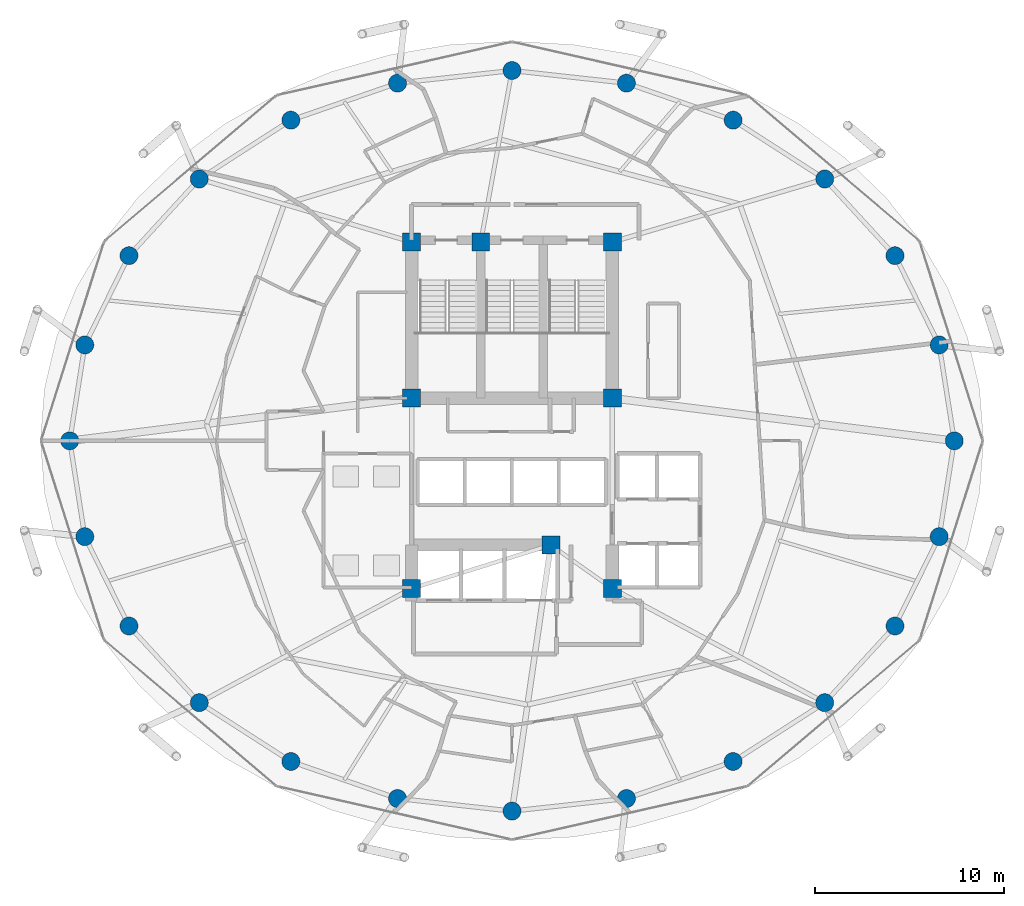
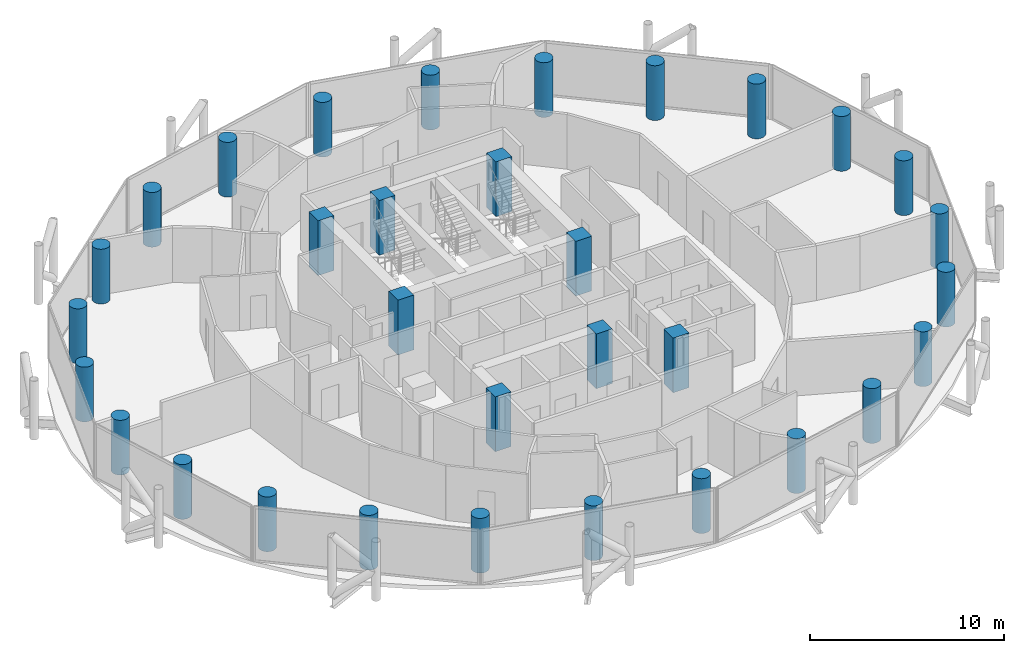
# One storey, part 1 of 26: 32 columns.
"""IFC4 building model written with IfcOpenShell, lengths in metres."""

from ifc_helpers import new_model, si_unit, direction, frame, origin, origin_2d, place, context, subcontext, project, spatial, rectangle, circle, extrude, material, material_profile, profile_set, type_object, element, save


model = new_model("IFC4")

# Units and contexts
model_context = context("Model", 3, precision=1e-05, world=origin(), true_north=direction((0.0, 1.0)))
body_context = subcontext(model_context, "Body", "Model", "MODEL_VIEW")
ifc_project = project(units=[si_unit("LENGTHUNIT", "METRE"), si_unit("AREAUNIT", "SQUARE_METRE"), si_unit("VOLUMEUNIT", "CUBIC_METRE"), si_unit("PLANEANGLEUNIT", "RADIAN"), si_unit("MASSUNIT", "GRAM", prefix="KILO")], contexts=[model_context])

# Site, building, storey
site_placement = place(None, origin())
site = spatial("IfcSite", under=ifc_project, at=site_placement, CompositionType="ELEMENT")
building_placement = place(site_placement, origin())
building = spatial("IfcBuilding", under=site, at=building_placement, Name="Nuhasar Tower", CompositionType="ELEMENT")
storey_placement = place(building_placement, frame((0.0, 0.0, 118.25)))
storey = spatial("IfcBuildingStorey", under=building, at=storey_placement, Name="L27", CompositionType="ELEMENT", Elevation=118.25)

# Columns
ifc_material = material(Name="Concrete C65/80", Category="concrete")
ifc_material_profile_1 = material_profile(ifc_material, circle(Radius=0.47509765625, at=origin_2d()), Name="CFT950")
ifc_profile_set_1 = profile_set([ifc_material_profile_1], Name="Concrete C65/80")
column_type_1 = type_object("IfcColumnType", Name="COL-CFT-950", PredefinedType="COLUMN", material=ifc_profile_set_1)
for number, where, z_axis, x_axis, name in (
    (1, (62.35009765625, 26.800048828125, 0.0), (0.0, 0.0, 1.0), (1.0, 0.0, 0.0), "L27 Perimeter Composite Column TC-01"),
    (2, (61.553955078125, 31.860107421875, 0.0), (0.0, 0.0, 1.0), (1.0, 0.0, 0.0), "L27 Perimeter Composite Column TC-02"),
    (3, (59.221923828125, 36.574951171875, 0.0), (0.0, 0.0, 1.0), (1.0, 0.0, 0.0), "L27 Perimeter Composite Column TC-03"),
    (4, (55.510986328125, 40.6240234375, 0.0), (0.0, 0.0, 1.0), (1.0, 0.0, 0.0), "L27 Perimeter Composite Column TC-04"),
    (5, (50.675048828125, 43.73095703125, 0.0), (0.0, 0.0, 1.0), (1.0, 0.0, 0.0), "L27 Perimeter Composite Column TC-05"),
    (6, (45.04296875, 45.68408203125, 0.0), (0.0, 0.0, 1.0), (1.0, 0.0, 0.0), "L27 Perimeter Composite Column TC-06"),
    (7, (39.0, 46.35009765625, 0.0), (0.0, 0.0, 1.0), (1.0, 0.0, 0.0), "L27 Perimeter Composite Column TC-07"),
    (8, (32.95703125, 45.68408203125, 0.0), (0.0, 0.0, 1.0), (1.0, 0.0, 0.0), "L27 Perimeter Composite Column TC-08"),
    (9, (27.324951171875, 43.73095703125, 0.0), (0.0, 0.0, 1.0), (1.0, 0.0, 0.0), "L27 Perimeter Composite Column TC-09"),
    (10, (22.489013671875, 40.6240234375, 0.0), (0.0, 0.0, 1.0), (1.0, 0.0, 0.0), "L27 Perimeter Composite Column TC-10"),
    (11, (18.778076171875, 36.574951171875, 0.0), (0.0, 0.0, 1.0), (1.0, 0.0, 0.0), "L27 Perimeter Composite Column TC-11"),
    (12, (16.446044921875, 31.860107421875, 0.0), (0.0, 0.0, 1.0), (1.0, 0.0, 0.0), "L27 Perimeter Composite Column TC-12"),
    (13, (15.64990234375, 26.800048828125, 0.0), (0.0, 0.0, 1.0), (1.0, 0.0, 0.0), "L27 Perimeter Composite Column TC-13"),
    (14, (16.446044921875, 21.739990234375, 0.0), (0.0, 0.0, 1.0), (1.0, 0.0, 0.0), "L27 Perimeter Composite Column TC-14"),
    (15, (18.778076171875, 17.02490234375, 0.0), (0.0, 0.0, 1.0), (1.0, 0.0, 0.0), "L27 Perimeter Composite Column TC-15"),
    (16, (22.489013671875, 12.97607421875, 0.0), (0.0, 0.0, 1.0), (1.0, 0.0, 0.0), "L27 Perimeter Composite Column TC-16"),
    (17, (27.324951171875, 9.868896484375, 0.0), (0.0, 0.0, 1.0), (1.0, 0.0, 0.0), "L27 Perimeter Composite Column TC-17"),
    (18, (32.95703125, 7.916015625, 0.0), (0.0, 0.0, 1.0), (1.0, 0.0, 0.0), "L27 Perimeter Composite Column TC-18"),
    (19, (39.0, 7.25, 0.0), (0.0, 0.0, 1.0), (1.0, 0.0, 0.0), "L27 Perimeter Composite Column TC-19"),
    (20, (45.04296875, 7.916015625, 0.0), (0.0, 0.0, 1.0), (1.0, 0.0, 0.0), "L27 Perimeter Composite Column TC-20"),
    (21, (50.675048828125, 9.868896484375, 0.0), (0.0, 0.0, 1.0), (1.0, 0.0, 0.0), "L27 Perimeter Composite Column TC-21"),
    (22, (55.510986328125, 12.97607421875, 0.0), (0.0, 0.0, 1.0), (1.0, 0.0, 0.0), "L27 Perimeter Composite Column TC-22"),
    (23, (59.221923828125, 17.02490234375, 0.0), (0.0, 0.0, 1.0), (1.0, 0.0, 0.0), "L27 Perimeter Composite Column TC-23"),
    (24, (61.553955078125, 21.739990234375, 0.0), (0.0, 0.0, 1.0), (1.0, 0.0, 0.0), "L27 Perimeter Composite Column TC-24"),
):
    element("IfcColumn", number, at=place(storey_placement, frame(where, z_axis=z_axis, x_axis=x_axis)), inside=storey, type_object=column_type_1, Name=name, PredefinedType="COLUMN", context=body_context, shape_type="SweptSolid", body=[
        extrude(circle(Radius=0.47509765625, at=origin_2d()), origin(), (0.0, 0.0, 1.0), 3.449951171875),
    ])
ifc_material_profile_2 = material_profile(ifc_material, rectangle(XDim=0.949951171875, YDim=0.949951171875, at=origin_2d()), Name="RC950X950")
ifc_profile_set_2 = profile_set([ifc_material_profile_2], Name="Concrete C65/80")
column_type_2 = type_object("IfcColumnType", Name="PIL-RC-950", PredefinedType="PILASTER", material=ifc_profile_set_2)
for number, where, z_axis, x_axis, name in (
    (25, (33.699951171875, 19.0, 0.0), (0.0, 0.0, 1.0), (1.0, 0.0, 0.0), "L27 Core Boundary Pilaster CC-01"),
    (26, (41.050048828125, 21.300048828125, 0.0), (0.0, 0.0, 1.0), (1.0, 0.0, 0.0), "L27 Core Boundary Pilaster CC-02"),
    (27, (44.300048828125, 19.0, 0.0), (0.0, 0.0, 1.0), (1.0, 0.0, 0.0), "L27 Core Boundary Pilaster CC-03"),
    (28, (44.300048828125, 29.050048828125, 0.0), (0.0, 0.0, 1.0), (1.0, 0.0, 0.0), "L27 Core Boundary Pilaster CC-04"),
    (29, (44.300048828125, 37.300048828125, 0.0), (0.0, 0.0, 1.0), (1.0, 0.0, 0.0), "L27 Core Boundary Pilaster CC-05"),
    (30, (37.35009765625, 37.300048828125, 0.0), (0.0, 0.0, 1.0), (1.0, 0.0, 0.0), "L27 Core Boundary Pilaster CC-06"),
    (31, (33.699951171875, 37.300048828125, 0.0), (0.0, 0.0, 1.0), (1.0, 0.0, 0.0), "L27 Core Boundary Pilaster CC-07"),
    (32, (33.699951171875, 29.050048828125, 0.0), (0.0, 0.0, 1.0), (1.0, 0.0, 0.0), "L27 Core Boundary Pilaster CC-08"),
):
    element("IfcColumn", number, at=place(storey_placement, frame(where, z_axis=z_axis, x_axis=x_axis)), inside=storey, type_object=column_type_2, Name=name, PredefinedType="PILASTER", context=body_context, shape_type="SweptSolid", body=[
        extrude(rectangle(XDim=0.949951171875, YDim=0.949951171875, at=origin_2d()), origin(), (0.0, 0.0, 1.0), 3.449951171875),
    ])

save(model, "model.ifc")
